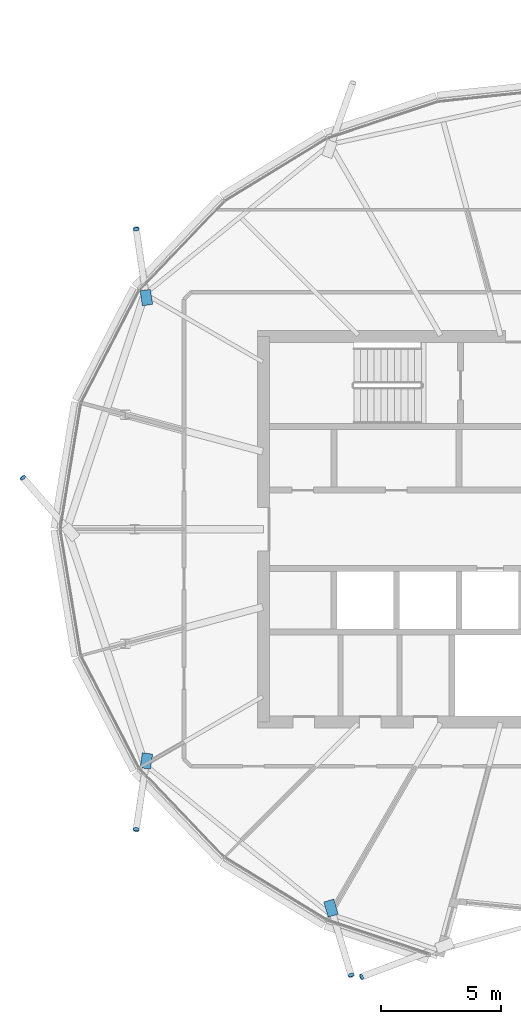
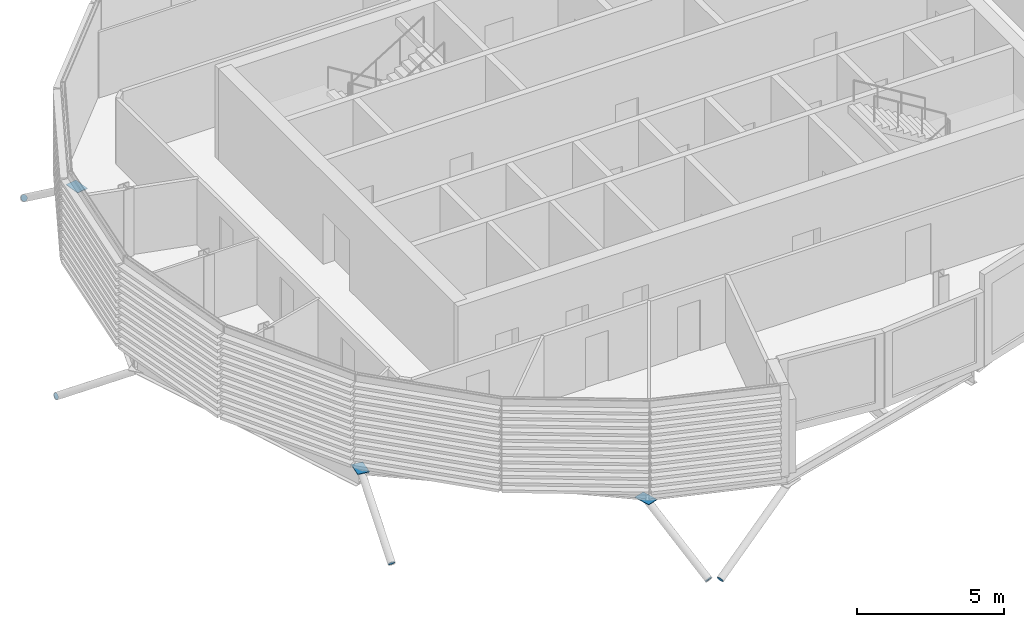
# One storey, part 23 of 33: 8 discrete accessories.
"""IFC4 building model written with IfcOpenShell, lengths in metres."""

from ifc_helpers import new_model, si_unit, direction, frame, origin, origin_2d, place, context, subcontext, project, spatial, polyline, rectangle, circle, outline, extrude, material, material_profile, profile_set, type_object, element, save


model = new_model("IFC4")

# Units and contexts
model_context = context("Model", 3, precision=1e-05, world=origin(), true_north=direction((0.0, 1.0)))
body_context = subcontext(model_context, "Body", "Model", "MODEL_VIEW")
ifc_project = project(units=[si_unit("LENGTHUNIT", "METRE"), si_unit("AREAUNIT", "SQUARE_METRE"), si_unit("VOLUMEUNIT", "CUBIC_METRE"), si_unit("PLANEANGLEUNIT", "RADIAN"), si_unit("MASSUNIT", "GRAM", prefix="KILO")], contexts=[model_context])

# Site, building, storey
site_placement = place(None, origin())
site = spatial("IfcSite", under=ifc_project, at=site_placement, CompositionType="ELEMENT")
building_placement = place(site_placement, origin())
building = spatial("IfcBuilding", under=site, at=building_placement, Name="Rimbun Link Towers", CompositionType="ELEMENT")
storey_placement = place(building_placement, frame((0.0, 0.0, 240.89990234375)))
storey = spatial("IfcBuildingStorey", under=building, at=storey_placement, Name="L59", CompositionType="ELEMENT", Elevation=240.89990234375)

# Discrete accessories
ifc_material_1 = material(Name="Steel S355J2H", Category="steel")
ifc_material_profile_1 = material_profile(ifc_material_1, circle(Radius=0.1240234375, at=origin_2d()), Name="PL D248")
ifc_profile_set_1 = profile_set([ifc_material_profile_1], Name="Steel S355J2H")
discrete_accessory_type_1 = type_object("IfcDiscreteAccessoryType", Name="Link foot sealing plate D248X20", PredefinedType="BRACKET", material=ifc_profile_set_1)
for number, where, z_axis, x_axis, name in (
    (1, (-49.03759765625, 12.460205078125, -2.497802734375), (-0.109617614286, 0.803862504766, -0.584627276193), (-0.990830168044, -0.135113204733, 0.0), "Link foot sealing plate T1 L59 10"),
    (2, (-53.741455078125, 2.134033203125, -2.79833984375), (-0.562441339278, 0.648030238733, -0.513533396732), (-0.755218729872, -0.655472859889, 0.0), "Link foot sealing plate T1 L59 12"),
    (3, (-49.03759765625, -12.460205078125, -2.497802734375), (-0.109617614286, -0.803862504766, -0.584627276193), (0.990830168044, -0.135113204733, 0.0), "Link foot sealing plate T1 L59 14"),
):
    element("IfcDiscreteAccessory", number, at=place(storey_placement, frame(where, z_axis=z_axis, x_axis=x_axis)), inside=storey, type_object=discrete_accessory_type_1, Name=name, PredefinedType="BRACKET", context=body_context, shape_type="SweptSolid", body=[
        extrude(circle(Radius=0.1240234375, at=origin_2d()), origin(), (0.0, 0.0, 1.0), 0.02001953125),
    ])
discrete_accessory_1_placement = place(storey_placement, frame((-40.11767578125, -18.511474609375, -2.62109375), z_axis=(0.241261720327, -0.796163677078, -0.554901956751), x_axis=(0.957024404433, 0.290007395283, 0.0)))
element("IfcDiscreteAccessory", 4, at=discrete_accessory_1_placement, inside=storey, type_object=discrete_accessory_type_1, Name="Link foot sealing plate T1 L59 16", PredefinedType="BRACKET", context=body_context, shape_type="SweptSolid", body=[
    extrude(circle(Radius=0.1240234375, at=origin_2d()), origin(), (0.0, 0.0, 1.0), 0.020263671875),
])
discrete_accessory_2_placement = place(storey_placement, frame((-39.675048828125, -18.582763671875, -2.73681640625), z_axis=(-0.817681428964, -0.305105010808, -0.488168017292), x_axis=(0.349590519726, -0.936902592865, 0.0)))
element("IfcDiscreteAccessory", 5, at=discrete_accessory_2_placement, inside=storey, type_object=discrete_accessory_type_1, Name="Link foot sealing plate T1 L59 17", PredefinedType="BRACKET", context=body_context, shape_type="SweptSolid", body=[
    extrude(circle(Radius=0.1240234375, at=origin_2d()), origin(), (0.0, 0.0, 1.0), 0.02001953125),
])
ifc_material_2 = material(Name="Steel S355J2H", Category="steel")
ifc_material_profile_2 = material_profile(ifc_material_2, rectangle(XDim=0.43310546875, YDim=0.43310546875, at=origin_2d()), Name="PL 433x433")
ifc_profile_set_2 = profile_set([ifc_material_profile_2], Name="Steel S355J2H")
discrete_accessory_type_2 = type_object("IfcDiscreteAccessoryType", Name="Link head end plate 433X20", PredefinedType="BRACKET", material=ifc_profile_set_2)
discrete_accessory_3_placement = place(storey_placement, frame((0.0, 0.0, -0.46337890625)))
element("IfcDiscreteAccessory", 6, at=discrete_accessory_3_placement, inside=storey, type_object=discrete_accessory_type_2, Name="Link head end plate T1 L59 10", PredefinedType="BRACKET", context=body_context, shape_type="SweptSolid", body=[
    extrude(outline(polyline([(-48.356201171875, 9.34033203125), (-48.44873046875, 9.965576171875), (-48.877197265625, 9.902099609375), (-48.784423828125, 9.27685546875), (-48.356201171875, 9.34033203125)])), origin(), (0.0, 0.0, 1.0), 0.02001953125),
])
discrete_accessory_4_placement = place(storey_placement, frame((0.0, 0.0, -0.46337890625)))
element("IfcDiscreteAccessory", 7, at=discrete_accessory_4_placement, inside=storey, type_object=discrete_accessory_type_2, Name="Link head end plate T1 L59 14", PredefinedType="BRACKET", context=body_context, shape_type="SweptSolid", body=[
    extrude(outline(polyline([(-48.784423828125, -9.27685546875), (-48.877197265625, -9.902099609375), (-48.44873046875, -9.965576171875), (-48.356201171875, -9.34033203125), (-48.784423828125, -9.27685546875)])), origin(), (0.0, 0.0, 1.0), 0.02001953125),
])
discrete_accessory_5_placement = place(storey_placement, frame((0.0, 0.0, -0.693115234375)))
element("IfcDiscreteAccessory", 8, at=discrete_accessory_5_placement, inside=storey, type_object=discrete_accessory_type_2, Name="Link head end plate T1 L59 16", PredefinedType="BRACKET", context=body_context, shape_type="SweptSolid", body=[
    extrude(outline(polyline([(-41.251708984375, -15.479736328125), (-41.064208984375, -16.105712890625), (-40.6494140625, -15.9814453125), (-40.8369140625, -15.355712890625), (-41.251708984375, -15.479736328125)])), origin(), (0.0, 0.0, 1.0), 0.02001953125),
])

save(model, "model.ifc")
